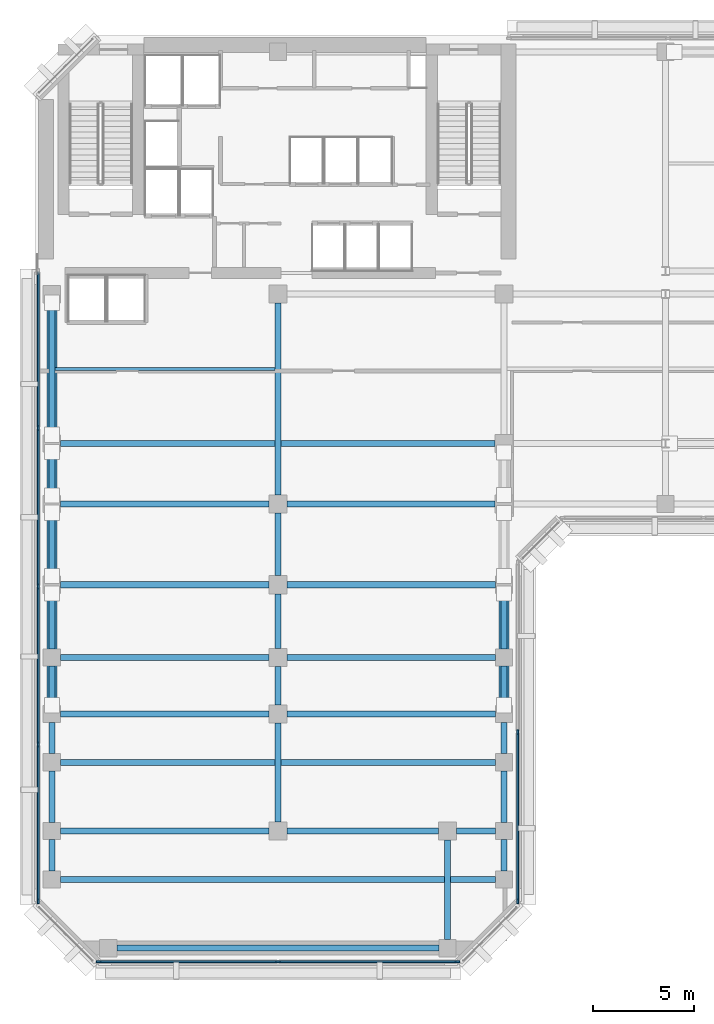
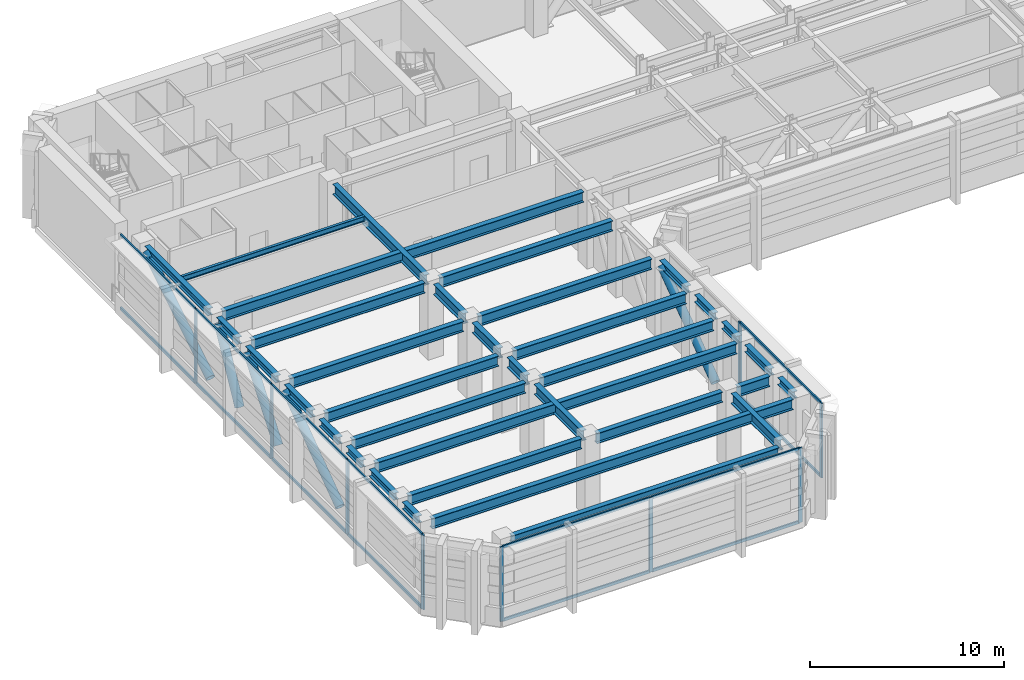
# One storey, part 2 of 12: 35 beams, 28 members, 3 elements without a shape of their own.
"""IFC4 building model written with IfcOpenShell, lengths in metres."""

from ifc_helpers import new_model, si_unit, direction, frame, origin, origin_2d, place, context, subcontext, project, spatial, rectangle, hollow_circle, i_section, extrude, material, layer, layer_set, material_profile, profile_set, type_object, element, aggregate, save


model = new_model("IFC4")

# Units and contexts
model_context = context("Model", 3, precision=1e-05, world=origin(), true_north=direction((0.0, 1.0)))
body_context = subcontext(model_context, "Body", "Model", "MODEL_VIEW")
ifc_project = project(units=[si_unit("LENGTHUNIT", "METRE"), si_unit("AREAUNIT", "SQUARE_METRE"), si_unit("VOLUMEUNIT", "CUBIC_METRE"), si_unit("PLANEANGLEUNIT", "RADIAN"), si_unit("MASSUNIT", "GRAM", prefix="KILO")], contexts=[model_context])

# Site, building, storey
site_placement = place(None, origin())
site = spatial("IfcSite", under=ifc_project, at=site_placement, CompositionType="ELEMENT")
building_placement = place(site_placement, origin())
building = spatial("IfcBuilding", under=site, at=building_placement, Name="Kefirva Bronze Tower", CompositionType="ELEMENT")
storey_placement = place(building_placement, frame((0.0, 0.0, 174.570068359375)))
storey = spatial("IfcBuildingStorey", under=building, at=storey_placement, Name="L42", CompositionType="ELEMENT", Elevation=174.570068359375)

# Curtain wall, members
ifc_material_1 = material(Name="Bronze anodised aluminium", Category="aluminium")
ifc_layer = layer(ifc_material_1, 0.219970703125, Name="Bronze anodised aluminium")
ifc_layer_set = layer_set([ifc_layer], Name="Bronze anodised aluminium")
curtain_wall_type = type_object("IfcCurtainWallType", Name="Refuge Acoustic Louvre Curtain Screen", PredefinedType="USERDEFINED", material=ifc_layer_set)
curtain_wall_1_placement = place(storey_placement, origin())
curtain_wall_1 = element("IfcCurtainWall", 1, at=curtain_wall_1_placement, inside=storey, type_object=curtain_wall_type, Name="L42 Curtain Wall 1", ObjectType="LOUVRE SCREEN WALL", PredefinedType="USERDEFINED")
ifc_material_profile_1 = material_profile(ifc_material_1, rectangle(XDim=0.090087890625, YDim=0.219970703125, at=origin_2d()), Name="ALU 90x220")
ifc_profile_set_1 = profile_set([ifc_material_profile_1], Name="Bronze anodised aluminium")
member_type_1 = type_object("IfcMemberType", Name="Bronze Mullion 90x220", PredefinedType="MULLION", material=ifc_profile_set_1)
member_1_placement = place(storey_placement, frame((3.10009765625, 0.1201171875, 0.0), z_axis=(0.0, 0.0, 1.0), x_axis=(0.0, 1.0, 0.0)))
member_1 = element("IfcMember", 2, at=member_1_placement, type_object=member_type_1, Name="CW-06 mullion 1", PredefinedType="MULLION", context=body_context, shape_type="SweptSolid", body=[
    extrude(rectangle(XDim=0.090087890625, YDim=0.219970703125, at=origin_2d()), origin(), (0.0, 0.0, 1.0), 4.699951171875),
])
member_2_placement = place(storey_placement, frame((12.0, 0.1201171875, 0.0), z_axis=(0.0, 0.0, 1.0), x_axis=(0.0, 1.0, 0.0)))
member_2 = element("IfcMember", 3, at=member_2_placement, type_object=member_type_1, Name="CW-06 mullion 2", PredefinedType="MULLION", context=body_context, shape_type="SweptSolid", body=[
    extrude(rectangle(XDim=0.090087890625, YDim=0.219970703125, at=origin_2d()), origin(), (0.0, 0.0, 1.0), 4.699951171875),
])
member_3_placement = place(storey_placement, frame((20.89990234375, 0.1201171875, 0.0), z_axis=(0.0, 0.0, 1.0), x_axis=(0.0, 1.0, 0.0)))
member_3 = element("IfcMember", 4, at=member_3_placement, type_object=member_type_1, Name="CW-06 mullion 3", PredefinedType="MULLION", context=body_context, shape_type="SweptSolid", body=[
    extrude(rectangle(XDim=0.090087890625, YDim=0.219970703125, at=origin_2d()), origin(), (0.0, 0.0, 1.0), 4.699951171875),
])

curtain_wall_2_placement = place(storey_placement, origin())
curtain_wall_2 = element("IfcCurtainWall", 5, at=curtain_wall_2_placement, inside=storey, type_object=curtain_wall_type, Name="L42 Curtain Wall 2", ObjectType="LOUVRE SCREEN WALL", PredefinedType="USERDEFINED")
member_4_placement = place(storey_placement, frame((23.8798828125, 3.10009765625, 0.0), z_axis=(0.0, 0.0, 1.0), x_axis=(-1.0, 0.0, 0.0)))
member_4 = element("IfcMember", 6, at=member_4_placement, type_object=member_type_1, Name="CW-06 mullion 1", PredefinedType="MULLION", context=body_context, shape_type="SweptSolid", body=[
    extrude(rectangle(XDim=0.090087890625, YDim=0.219970703125, at=origin_2d()), origin(), (0.0, 0.0, 1.0), 4.699951171875),
])
member_5_placement = place(storey_placement, frame((23.8798828125, 11.5, 0.0), z_axis=(0.0, 0.0, 1.0), x_axis=(-1.0, 0.0, 0.0)))
member_5 = element("IfcMember", 7, at=member_5_placement, type_object=member_type_1, Name="CW-06 mullion 2", PredefinedType="MULLION", context=body_context, shape_type="SweptSolid", body=[
    extrude(rectangle(XDim=0.090087890625, YDim=0.219970703125, at=origin_2d()), origin(), (0.0, 0.0, 1.0), 4.699951171875),
])

curtain_wall_3_placement = place(storey_placement, origin())
curtain_wall_3 = element("IfcCurtainWall", 8, at=curtain_wall_3_placement, inside=storey, type_object=curtain_wall_type, Name="L42 Curtain Wall 6", ObjectType="LOUVRE SCREEN WALL", PredefinedType="USERDEFINED")
member_6_placement = place(storey_placement, frame((0.1201171875, 26.56005859375, 0.0), z_axis=(0.0, 0.0, 1.0), x_axis=(1.0, 0.0, 0.0)))
member_6 = element("IfcMember", 9, at=member_6_placement, type_object=member_type_1, Name="CW-06 mullion 2", PredefinedType="MULLION", context=body_context, shape_type="SweptSolid", body=[
    extrude(rectangle(XDim=0.090087890625, YDim=0.219970703125, at=origin_2d()), origin(), (0.0, 0.0, 1.0), 4.699951171875),
])
member_7_placement = place(storey_placement, frame((0.1201171875, 18.72509765625, 0.0), z_axis=(0.0, 0.0, 1.0), x_axis=(1.0, 0.0, 0.0)))
member_7 = element("IfcMember", 10, at=member_7_placement, type_object=member_type_1, Name="CW-06 mullion 3", PredefinedType="MULLION", context=body_context, shape_type="SweptSolid", body=[
    extrude(rectangle(XDim=0.090087890625, YDim=0.219970703125, at=origin_2d()), origin(), (0.0, 0.0, 1.0), 4.699951171875),
])
member_8_placement = place(storey_placement, frame((0.1201171875, 10.889892578125, 0.0), z_axis=(0.0, 0.0, 1.0), x_axis=(1.0, 0.0, 0.0)))
member_8 = element("IfcMember", 11, at=member_8_placement, type_object=member_type_1, Name="CW-06 mullion 4", PredefinedType="MULLION", context=body_context, shape_type="SweptSolid", body=[
    extrude(rectangle(XDim=0.090087890625, YDim=0.219970703125, at=origin_2d()), origin(), (0.0, 0.0, 1.0), 4.699951171875),
])
member_9_placement = place(storey_placement, frame((0.1201171875, 3.10009765625, 0.0), z_axis=(0.0, 0.0, 1.0), x_axis=(1.0, 0.0, 0.0)))
member_9 = element("IfcMember", 12, at=member_9_placement, type_object=member_type_1, Name="CW-06 mullion 5", PredefinedType="MULLION", context=body_context, shape_type="SweptSolid", body=[
    extrude(rectangle(XDim=0.090087890625, YDim=0.219970703125, at=origin_2d()), origin(), (0.0, 0.0, 1.0), 4.699951171875),
])

# Member
ifc_material_profile_2 = material_profile(ifc_material_1, rectangle(XDim=0.090087890625, YDim=0.179931640625, at=origin_2d()), Name="ALU 90x180")
ifc_profile_set_2 = profile_set([ifc_material_profile_2], Name="Bronze anodised aluminium")
member_type_2 = type_object("IfcMemberType", Name="Bronze Transom 90x180", PredefinedType="USERDEFINED", material=ifc_profile_set_2)
member_10_placement = place(storey_placement, frame((3.14501953125, 0.1201171875, 0.044921875), z_axis=(1.0, 0.0, 0.0), x_axis=(0.0, 1.0, 0.0)))
member_10 = element("IfcMember", 13, at=member_10_placement, type_object=member_type_2, Name="CW-06 transom 1.1", ObjectType="TRANSOM", PredefinedType="USERDEFINED", context=body_context, shape_type="SweptSolid", body=[
    extrude(rectangle(XDim=0.090087890625, YDim=0.179931640625, at=origin_2d()), origin(), (0.0, 0.0, 1.0), 8.81005859375),
])

member_11_placement = place(storey_placement, frame((3.14501953125, 0.1201171875, 4.655029296875), z_axis=(1.0, 0.0, 0.0), x_axis=(0.0, 1.0, 0.0)))
member_11 = element("IfcMember", 14, at=member_11_placement, type_object=member_type_2, Name="CW-06 transom 1.2", ObjectType="TRANSOM", PredefinedType="USERDEFINED", context=body_context, shape_type="SweptSolid", body=[
    extrude(rectangle(XDim=0.090087890625, YDim=0.179931640625, at=origin_2d()), origin(), (0.0, 0.0, 1.0), 8.81005859375),
])

member_12_placement = place(storey_placement, frame((12.044921875, 0.1201171875, 0.044921875), z_axis=(1.0, 0.0, 0.0), x_axis=(0.0, 1.0, 0.0)))
member_12 = element("IfcMember", 15, at=member_12_placement, type_object=member_type_2, Name="CW-06 transom 2.1", ObjectType="TRANSOM", PredefinedType="USERDEFINED", context=body_context, shape_type="SweptSolid", body=[
    extrude(rectangle(XDim=0.090087890625, YDim=0.179931640625, at=origin_2d()), origin(), (0.0, 0.0, 1.0), 8.81005859375),
])

member_13_placement = place(storey_placement, frame((12.044921875, 0.1201171875, 4.655029296875), z_axis=(1.0, 0.0, 0.0), x_axis=(0.0, 1.0, 0.0)))
member_13 = element("IfcMember", 16, at=member_13_placement, type_object=member_type_2, Name="CW-06 transom 2.2", ObjectType="TRANSOM", PredefinedType="USERDEFINED", context=body_context, shape_type="SweptSolid", body=[
    extrude(rectangle(XDim=0.090087890625, YDim=0.179931640625, at=origin_2d()), origin(), (0.0, 0.0, 1.0), 8.81005859375),
])

aggregate(curtain_wall_1, [member_1, member_2, member_3, member_10, member_11, member_12, member_13])

member_14_placement = place(storey_placement, frame((23.8798828125, 3.14501953125, 0.044921875), z_axis=(0.0, 1.0, 0.0), x_axis=(-1.0, 0.0, 0.0)))
member_14 = element("IfcMember", 17, at=member_14_placement, type_object=member_type_2, Name="CW-06 transom 1.1", ObjectType="TRANSOM", PredefinedType="USERDEFINED", context=body_context, shape_type="SweptSolid", body=[
    extrude(rectangle(XDim=0.090087890625, YDim=0.179931640625, at=origin_2d()), origin(), (0.0, 0.0, 1.0), 8.31005859375),
])

member_15_placement = place(storey_placement, frame((23.8798828125, 3.14501953125, 4.655029296875), z_axis=(0.0, 1.0, 0.0), x_axis=(-1.0, 0.0, 0.0)))
member_15 = element("IfcMember", 18, at=member_15_placement, type_object=member_type_2, Name="CW-06 transom 1.2", ObjectType="TRANSOM", PredefinedType="USERDEFINED", context=body_context, shape_type="SweptSolid", body=[
    extrude(rectangle(XDim=0.090087890625, YDim=0.179931640625, at=origin_2d()), origin(), (0.0, 0.0, 1.0), 8.31005859375),
])

aggregate(curtain_wall_2, [member_4, member_5, member_14, member_15])

member_16_placement = place(storey_placement, frame((0.1201171875, 34.304931640625, 0.044921875), z_axis=(0.0, -1.0, 0.0), x_axis=(1.0, 0.0, 0.0)))
member_16 = element("IfcMember", 19, at=member_16_placement, type_object=member_type_2, Name="CW-06 transom 1.1", ObjectType="TRANSOM", PredefinedType="USERDEFINED", context=body_context, shape_type="SweptSolid", body=[
    extrude(rectangle(XDim=0.090087890625, YDim=0.179931640625, at=origin_2d()), origin(), (0.0, 0.0, 1.0), 7.699951171875),
])

member_17_placement = place(storey_placement, frame((0.1201171875, 34.304931640625, 4.655029296875), z_axis=(0.0, -1.0, 0.0), x_axis=(1.0, 0.0, 0.0)))
member_17 = element("IfcMember", 20, at=member_17_placement, type_object=member_type_2, Name="CW-06 transom 1.2", ObjectType="TRANSOM", PredefinedType="USERDEFINED", context=body_context, shape_type="SweptSolid", body=[
    extrude(rectangle(XDim=0.090087890625, YDim=0.179931640625, at=origin_2d()), origin(), (0.0, 0.0, 1.0), 7.699951171875),
])

member_18_placement = place(storey_placement, frame((0.1201171875, 26.514892578125, 0.044921875), z_axis=(0.0, -1.0, 0.0), x_axis=(1.0, 0.0, 0.0)))
member_18 = element("IfcMember", 21, at=member_18_placement, type_object=member_type_2, Name="CW-06 transom 2.1", ObjectType="TRANSOM", PredefinedType="USERDEFINED", context=body_context, shape_type="SweptSolid", body=[
    extrude(rectangle(XDim=0.090087890625, YDim=0.179931640625, at=origin_2d()), origin(), (0.0, 0.0, 1.0), 7.744873046875),
])

member_19_placement = place(storey_placement, frame((0.1201171875, 26.514892578125, 4.655029296875), z_axis=(0.0, -1.0, 0.0), x_axis=(1.0, 0.0, 0.0)))
member_19 = element("IfcMember", 22, at=member_19_placement, type_object=member_type_2, Name="CW-06 transom 2.2", ObjectType="TRANSOM", PredefinedType="USERDEFINED", context=body_context, shape_type="SweptSolid", body=[
    extrude(rectangle(XDim=0.090087890625, YDim=0.179931640625, at=origin_2d()), origin(), (0.0, 0.0, 1.0), 7.744873046875),
])

member_20_placement = place(storey_placement, frame((0.1201171875, 18.679931640625, 0.044921875), z_axis=(0.0, -1.0, 0.0), x_axis=(1.0, 0.0, 0.0)))
member_20 = element("IfcMember", 23, at=member_20_placement, type_object=member_type_2, Name="CW-06 transom 3.1", ObjectType="TRANSOM", PredefinedType="USERDEFINED", context=body_context, shape_type="SweptSolid", body=[
    extrude(rectangle(XDim=0.090087890625, YDim=0.179931640625, at=origin_2d()), origin(), (0.0, 0.0, 1.0), 7.744873046875),
])

member_21_placement = place(storey_placement, frame((0.1201171875, 18.679931640625, 4.655029296875), z_axis=(0.0, -1.0, 0.0), x_axis=(1.0, 0.0, 0.0)))
member_21 = element("IfcMember", 24, at=member_21_placement, type_object=member_type_2, Name="CW-06 transom 3.2", ObjectType="TRANSOM", PredefinedType="USERDEFINED", context=body_context, shape_type="SweptSolid", body=[
    extrude(rectangle(XDim=0.090087890625, YDim=0.179931640625, at=origin_2d()), origin(), (0.0, 0.0, 1.0), 7.744873046875),
])

member_22_placement = place(storey_placement, frame((0.1201171875, 10.844970703125, 0.044921875), z_axis=(0.0, -1.0, 0.0), x_axis=(1.0, 0.0, 0.0)))
member_22 = element("IfcMember", 25, at=member_22_placement, type_object=member_type_2, Name="CW-06 transom 4.1", ObjectType="TRANSOM", PredefinedType="USERDEFINED", context=body_context, shape_type="SweptSolid", body=[
    extrude(rectangle(XDim=0.090087890625, YDim=0.179931640625, at=origin_2d()), origin(), (0.0, 0.0, 1.0), 7.699951171875),
])

member_23_placement = place(storey_placement, frame((0.1201171875, 10.844970703125, 4.655029296875), z_axis=(0.0, -1.0, 0.0), x_axis=(1.0, 0.0, 0.0)))
member_23 = element("IfcMember", 26, at=member_23_placement, type_object=member_type_2, Name="CW-06 transom 4.2", ObjectType="TRANSOM", PredefinedType="USERDEFINED", context=body_context, shape_type="SweptSolid", body=[
    extrude(rectangle(XDim=0.090087890625, YDim=0.179931640625, at=origin_2d()), origin(), (0.0, 0.0, 1.0), 7.699951171875),
])

aggregate(curtain_wall_3, [member_6, member_7, member_8, member_9, member_16, member_17, member_18, member_19, member_20, member_21, member_22, member_23])

# Members
ifc_material_2 = material(Name="Steel S460", Category="steel")
ifc_material_profile_3 = material_profile(ifc_material_2, hollow_circle(Radius=0.25390625, WallThickness=0.02001953125, at=origin_2d()), Name="CHS 508x20")
ifc_profile_set_3 = profile_set([ifc_material_profile_3], Name="Steel S460")
member_type_3 = type_object("IfcMemberType", Name="Steel Belt Brace CHS 508x20", PredefinedType="BRACE", material=ifc_profile_set_3)
member_24_placement = place(storey_placement, frame((0.800048828125, 12.830078125, 0.300048828125), z_axis=(0.0, 0.810758360691, 0.585380970455), x_axis=(-1.0, 0.0, 0.0)))
element("IfcMember", 27, at=member_24_placement, inside=storey, type_object=member_type_3, Name="L42 Outrigger Belt Brace 1", PredefinedType="BRACE", context=body_context, shape_type="SweptSolid", body=[
    extrude(hollow_circle(Radius=0.25390625, WallThickness=0.02001953125, at=origin_2d()), origin(), (0.0, 0.0, 1.0), 6.833251953125),
])
member_25_placement = place(storey_placement, frame((0.800048828125, 19.22998046875, 0.300048828125), z_axis=(0.0, 0.617490735498, 0.786578153507), x_axis=(-1.0, 0.0, 0.0)))
element("IfcMember", 28, at=member_25_placement, inside=storey, type_object=member_type_3, Name="L42 Outrigger Belt Brace 2", PredefinedType="BRACE", context=body_context, shape_type="SweptSolid", body=[
    extrude(hollow_circle(Radius=0.25390625, WallThickness=0.02001953125, at=origin_2d()), origin(), (0.0, 0.0, 1.0), 5.085205078125),
])
member_26_placement = place(storey_placement, frame((0.800048828125, 23.22998046875, 0.300048828125), z_axis=(0.0, 0.471755399165, 0.881729461546), x_axis=(-1.0, 0.0, 0.0)))
element("IfcMember", 29, at=member_26_placement, inside=storey, type_object=member_type_3, Name="L42 Outrigger Belt Brace 3", PredefinedType="BRACE", context=body_context, shape_type="SweptSolid", body=[
    extrude(hollow_circle(Radius=0.25390625, WallThickness=0.02001953125, at=origin_2d()), origin(), (0.0, 0.0, 1.0), 4.53662109375),
])
member_27_placement = place(storey_placement, frame((0.800048828125, 26.22998046875, 0.300048828125), z_axis=(0.0, 0.853089698081, 0.521764283013), x_axis=(-1.0, 0.0, 0.0)))
element("IfcMember", 30, at=member_27_placement, inside=storey, type_object=member_type_3, Name="L42 Outrigger Belt Brace 4", PredefinedType="BRACE", context=body_context, shape_type="SweptSolid", body=[
    extrude(hollow_circle(Radius=0.25390625, WallThickness=0.02001953125, at=origin_2d()), origin(), (0.0, 0.0, 1.0), 7.666259765625),
])
member_28_placement = place(storey_placement, frame((23.199951171875, 12.830078125, 0.300048828125), z_axis=(0.0, 0.810758360691, 0.585380970455), x_axis=(-1.0, 0.0, 0.0)))
element("IfcMember", 31, at=member_28_placement, inside=storey, type_object=member_type_3, Name="L42 Outrigger Belt Brace 5", PredefinedType="BRACE", context=body_context, shape_type="SweptSolid", body=[
    extrude(hollow_circle(Radius=0.25390625, WallThickness=0.02001953125, at=origin_2d()), origin(), (0.0, 0.0, 1.0), 6.833251953125),
])

# Beams
ifc_material_3 = material(Name="Steel S355", Category="steel")
ifc_material_profile_4 = material_profile(ifc_material_3, i_section(OverallWidth=0.159912109375, OverallDepth=0.330078125, WebThickness=0.007568359375, FlangeThickness=0.011474609375, at=origin_2d()), Name="IPE 330")
ifc_profile_set_4 = profile_set([ifc_material_profile_4], Name="Steel S355")
beam_type_1 = type_object("IfcBeamType", Name="Steel Floor Joist IPE 330", PredefinedType="JOIST", material=ifc_profile_set_4)
beam_1_placement = place(storey_placement, frame((0.949951171875, 29.489990234375, 4.534912109375), z_axis=(1.0, 0.0, 0.0), x_axis=(0.0, 1.0, 0.0)))
element("IfcBeam", 32, at=beam_1_placement, inside=storey, type_object=beam_type_1, Name="L42 JST-L42-0-294", PredefinedType="JOIST", context=body_context, shape_type="SweptSolid", body=[
    extrude(i_section(OverallWidth=0.159912109375, OverallDepth=0.330078125, WebThickness=0.007568359375, FlangeThickness=0.011474609375, at=origin_2d()), origin(), (0.0, 0.0, 1.0), 10.900146484375),
])
ifc_material_profile_5 = material_profile(ifc_material_3, i_section(OverallWidth=0.300048828125, OverallDepth=0.64990234375, WebThickness=0.01611328125, FlangeThickness=0.031005859375, at=origin_2d()), Name="HEB 650")
ifc_profile_set_5 = profile_set([ifc_material_profile_5], Name="Steel S355")
beam_type_2 = type_object("IfcBeamType", Name="Steel Girder HEB 650", PredefinedType="USERDEFINED", material=ifc_profile_set_5)
beam_2_placement = place(storey_placement, frame((1.22998046875, 4.199951171875, 4.375), z_axis=(1.0, 0.0, 0.0), x_axis=(0.0, 1.0, 0.0)))
element("IfcBeam", 33, at=beam_2_placement, inside=storey, type_object=beam_type_2, Name="L42 BM-L42-EW-0-42", ObjectType="GIRDER", PredefinedType="USERDEFINED", context=body_context, shape_type="SweptSolid", body=[
    extrude(i_section(OverallWidth=0.300048828125, OverallDepth=0.64990234375, WebThickness=0.01611328125, FlangeThickness=0.031005859375, at=origin_2d()), origin(), (0.0, 0.0, 1.0), 21.5400390625),
])
beam_3_placement = place(storey_placement, frame((1.22998046875, 6.60009765625, 4.375), z_axis=(1.0, 0.0, 0.0), x_axis=(0.0, 1.0, 0.0)))
element("IfcBeam", 34, at=beam_3_placement, inside=storey, type_object=beam_type_2, Name="L42 BM-L42-EW-0-66", ObjectType="GIRDER", PredefinedType="USERDEFINED", context=body_context, shape_type="SweptSolid", body=[
    extrude(i_section(OverallWidth=0.300048828125, OverallDepth=0.64990234375, WebThickness=0.01611328125, FlangeThickness=0.031005859375, at=origin_2d()), origin(), (0.0, 0.0, 1.0), 10.320068359375),
])
beam_4_placement = place(storey_placement, frame((12.449951171875, 6.60009765625, 4.375), z_axis=(1.0, 0.0, 0.0), x_axis=(0.0, 1.0, 0.0)))
element("IfcBeam", 35, at=beam_4_placement, inside=storey, type_object=beam_type_2, Name="L42 BM-L42-EW-12-66", ObjectType="GIRDER", PredefinedType="USERDEFINED", context=body_context, shape_type="SweptSolid", body=[
    extrude(i_section(OverallWidth=0.300048828125, OverallDepth=0.64990234375, WebThickness=0.01611328125, FlangeThickness=0.031005859375, at=origin_2d()), origin(), (0.0, 0.0, 1.0), 7.5),
])
beam_5_placement = place(storey_placement, frame((20.85009765625, 6.60009765625, 4.375), z_axis=(1.0, 0.0, 0.0), x_axis=(0.0, 1.0, 0.0)))
element("IfcBeam", 36, at=beam_5_placement, inside=storey, type_object=beam_type_2, Name="L42 BM-L42-EW-20-66", ObjectType="GIRDER", PredefinedType="USERDEFINED", context=body_context, shape_type="SweptSolid", body=[
    extrude(i_section(OverallWidth=0.300048828125, OverallDepth=0.64990234375, WebThickness=0.01611328125, FlangeThickness=0.031005859375, at=origin_2d()), origin(), (0.0, 0.0, 1.0), 1.919921875),
])
beam_6_placement = place(storey_placement, frame((1.22998046875, 10.0, 4.375), z_axis=(1.0, 0.0, 0.0), x_axis=(0.0, 1.0, 0.0)))
element("IfcBeam", 37, at=beam_6_placement, inside=storey, type_object=beam_type_2, Name="L42 BM-L42-EW-0-100", ObjectType="GIRDER", PredefinedType="USERDEFINED", context=body_context, shape_type="SweptSolid", body=[
    extrude(i_section(OverallWidth=0.300048828125, OverallDepth=0.64990234375, WebThickness=0.01611328125, FlangeThickness=0.031005859375, at=origin_2d()), origin(), (0.0, 0.0, 1.0), 21.5400390625),
])
for number, where, z_axis, x_axis, name in (
    (38, (1.22998046875, 12.39990234375, 4.375), (1.0, 0.0, 0.0), (0.0, 1.0, 0.0), "L42 BM-L42-EW-0-124"),
    (39, (12.449951171875, 12.39990234375, 4.375), (1.0, 0.0, 0.0), (0.0, 1.0, 0.0), "L42 BM-L42-EW-12-124"),
    (40, (1.22998046875, 15.199951171875, 4.375), (1.0, 0.0, 0.0), (0.0, 1.0, 0.0), "L42 BM-L42-EW-0-152"),
    (41, (12.449951171875, 15.199951171875, 4.375), (1.0, 0.0, 0.0), (0.0, 1.0, 0.0), "L42 BM-L42-EW-12-152"),
    (42, (1.22998046875, 18.800048828125, 4.375), (1.0, 0.0, 0.0), (0.0, 1.0, 0.0), "L42 BM-L42-EW-0-188"),
    (43, (12.449951171875, 18.800048828125, 4.375), (1.0, 0.0, 0.0), (0.0, 1.0, 0.0), "L42 BM-L42-EW-12-188"),
    (44, (1.22998046875, 22.800048828125, 4.375), (1.0, 0.0, 0.0), (0.0, 1.0, 0.0), "L42 BM-L42-EW-0-228"),
):
    element("IfcBeam", number, at=place(storey_placement, frame(where, z_axis=z_axis, x_axis=x_axis)), inside=storey, type_object=beam_type_2, Name=name, ObjectType="GIRDER", PredefinedType="USERDEFINED", context=body_context, shape_type="SweptSolid", body=[
        extrude(i_section(OverallWidth=0.300048828125, OverallDepth=0.64990234375, WebThickness=0.01611328125, FlangeThickness=0.031005859375, at=origin_2d()), origin(), (0.0, 0.0, 1.0), 10.320068359375),
    ])
beam_7_placement = place(storey_placement, frame((12.449951171875, 22.800048828125, 4.375), z_axis=(1.0, 0.0, 0.0), x_axis=(0.0, 1.0, 0.0)))
element("IfcBeam", 45, at=beam_7_placement, inside=storey, type_object=beam_type_2, Name="L42 BM-L42-EW-12-228", ObjectType="GIRDER", PredefinedType="USERDEFINED", context=body_context, shape_type="SweptSolid", body=[
    extrude(i_section(OverallWidth=0.300048828125, OverallDepth=0.64990234375, WebThickness=0.01611328125, FlangeThickness=0.031005859375, at=origin_2d()), origin(), (0.0, 0.0, 1.0), 10.300048828125),
])
beam_8_placement = place(storey_placement, frame((1.22998046875, 25.800048828125, 4.375), z_axis=(1.0, 0.0, 0.0), x_axis=(0.0, 1.0, 0.0)))
element("IfcBeam", 46, at=beam_8_placement, inside=storey, type_object=beam_type_2, Name="L42 BM-L42-EW-0-258", ObjectType="GIRDER", PredefinedType="USERDEFINED", context=body_context, shape_type="SweptSolid", body=[
    extrude(i_section(OverallWidth=0.300048828125, OverallDepth=0.64990234375, WebThickness=0.01611328125, FlangeThickness=0.031005859375, at=origin_2d()), origin(), (0.0, 0.0, 1.0), 21.52001953125),
])
beam_9_placement = place(storey_placement, frame((12.0, 7.050048828125, 4.375), z_axis=(0.0, 1.0, 0.0), x_axis=(-1.0, 0.0, 0.0)))
element("IfcBeam", 47, at=beam_9_placement, inside=storey, type_object=beam_type_2, Name="L42 BM-L42-NS-120-6", ObjectType="GIRDER", PredefinedType="USERDEFINED", context=body_context, shape_type="SweptSolid", body=[
    extrude(i_section(OverallWidth=0.300048828125, OverallDepth=0.64990234375, WebThickness=0.01611328125, FlangeThickness=0.031005859375, at=origin_2d()), origin(), (0.0, 0.0, 1.0), 4.89990234375),
])
beam_10_placement = place(storey_placement, frame((12.0, 12.85009765625, 4.375), z_axis=(0.0, 1.0, 0.0), x_axis=(-1.0, 0.0, 0.0)))
element("IfcBeam", 48, at=beam_10_placement, inside=storey, type_object=beam_type_2, Name="L42 BM-L42-NS-120-12", ObjectType="GIRDER", PredefinedType="USERDEFINED", context=body_context, shape_type="SweptSolid", body=[
    extrude(i_section(OverallWidth=0.300048828125, OverallDepth=0.64990234375, WebThickness=0.01611328125, FlangeThickness=0.031005859375, at=origin_2d()), origin(), (0.0, 0.0, 1.0), 1.89990234375),
])
beam_11_placement = place(storey_placement, frame((12.0, 15.64990234375, 4.375), z_axis=(0.0, 1.0, 0.0), x_axis=(-1.0, 0.0, 0.0)))
element("IfcBeam", 49, at=beam_11_placement, inside=storey, type_object=beam_type_2, Name="L42 BM-L42-NS-120-15", ObjectType="GIRDER", PredefinedType="USERDEFINED", context=body_context, shape_type="SweptSolid", body=[
    extrude(i_section(OverallWidth=0.300048828125, OverallDepth=0.64990234375, WebThickness=0.01611328125, FlangeThickness=0.031005859375, at=origin_2d()), origin(), (0.0, 0.0, 1.0), 2.7001953125),
])
beam_12_placement = place(storey_placement, frame((12.0, 19.25, 4.375), z_axis=(0.0, 1.0, 0.0), x_axis=(-1.0, 0.0, 0.0)))
element("IfcBeam", 50, at=beam_12_placement, inside=storey, type_object=beam_type_2, Name="L42 BM-L42-NS-120-18", ObjectType="GIRDER", PredefinedType="USERDEFINED", context=body_context, shape_type="SweptSolid", body=[
    extrude(i_section(OverallWidth=0.300048828125, OverallDepth=0.64990234375, WebThickness=0.01611328125, FlangeThickness=0.031005859375, at=origin_2d()), origin(), (0.0, 0.0, 1.0), 3.10009765625),
])
beam_13_placement = place(storey_placement, frame((12.0, 23.25, 4.375), z_axis=(0.0, 1.0, 0.0), x_axis=(-1.0, 0.0, 0.0)))
element("IfcBeam", 51, at=beam_13_placement, inside=storey, type_object=beam_type_2, Name="L42 BM-L42-NS-120-22", ObjectType="GIRDER", PredefinedType="USERDEFINED", context=body_context, shape_type="SweptSolid", body=[
    extrude(i_section(OverallWidth=0.300048828125, OverallDepth=0.64990234375, WebThickness=0.01611328125, FlangeThickness=0.031005859375, at=origin_2d()), origin(), (0.0, 0.0, 1.0), 9.5),
])
beam_14_placement = place(storey_placement, frame((20.39990234375, 1.22998046875, 4.375), z_axis=(0.0, 1.0, 0.0), x_axis=(-1.0, 0.0, 0.0)))
element("IfcBeam", 52, at=beam_14_placement, inside=storey, type_object=beam_type_2, Name="L42 BM-L42-NS-204-0", ObjectType="GIRDER", PredefinedType="USERDEFINED", context=body_context, shape_type="SweptSolid", body=[
    extrude(i_section(OverallWidth=0.300048828125, OverallDepth=0.64990234375, WebThickness=0.01611328125, FlangeThickness=0.031005859375, at=origin_2d()), origin(), (0.0, 0.0, 1.0), 4.919921875),
])
ifc_material_profile_6 = material_profile(ifc_material_3, i_section(OverallWidth=0.300048828125, OverallDepth=0.449951171875, WebThickness=0.013916015625, FlangeThickness=0.02587890625, at=origin_2d()), Name="HEB 450")
ifc_profile_set_6 = profile_set([ifc_material_profile_6], Name="Steel S355")
beam_type_3 = type_object("IfcBeamType", Name="Steel Spandrel HEB 450 Ext", PredefinedType="SPANDREL", material=ifc_profile_set_6)
beam_15_placement = place(storey_placement, frame((4.030029296875, 0.800048828125, 4.474853515625), z_axis=(1.0, 0.0, 0.0), x_axis=(0.0, 1.0, 0.0)))
element("IfcBeam", 53, at=beam_15_placement, inside=storey, type_object=beam_type_3, Name="L42 BM-L42-EW-3-8", PredefinedType="SPANDREL", context=body_context, shape_type="SweptSolid", body=[
    extrude(i_section(OverallWidth=0.300048828125, OverallDepth=0.449951171875, WebThickness=0.013916015625, FlangeThickness=0.02587890625, at=origin_2d()), origin(), (0.0, 0.0, 1.0), 15.93994140625),
])
beam_16_placement = place(storey_placement, frame((0.800048828125, 4.6298828125, 4.474853515625), z_axis=(0.0, 1.0, 0.0), x_axis=(-1.0, 0.0, 0.0)))
element("IfcBeam", 54, at=beam_16_placement, inside=storey, type_object=beam_type_3, Name="L42 BM-L42-NS-8-4", PredefinedType="SPANDREL", context=body_context, shape_type="SweptSolid", body=[
    extrude(i_section(OverallWidth=0.300048828125, OverallDepth=0.449951171875, WebThickness=0.013916015625, FlangeThickness=0.02587890625, at=origin_2d()), origin(), (0.0, 0.0, 1.0), 1.5400390625),
])
beam_17_placement = place(storey_placement, frame((0.800048828125, 7.030029296875, 4.474853515625), z_axis=(0.0, 1.0, 0.0), x_axis=(-1.0, 0.0, 0.0)))
element("IfcBeam", 55, at=beam_17_placement, inside=storey, type_object=beam_type_3, Name="L42 BM-L42-NS-8-6", PredefinedType="SPANDREL", context=body_context, shape_type="SweptSolid", body=[
    extrude(i_section(OverallWidth=0.300048828125, OverallDepth=0.449951171875, WebThickness=0.013916015625, FlangeThickness=0.02587890625, at=origin_2d()), origin(), (0.0, 0.0, 1.0), 2.5400390625),
])
beam_18_placement = place(storey_placement, frame((0.800048828125, 10.429931640625, 4.474853515625), z_axis=(0.0, 1.0, 0.0), x_axis=(-1.0, 0.0, 0.0)))
element("IfcBeam", 56, at=beam_18_placement, inside=storey, type_object=beam_type_3, Name="L42 BM-L42-NS-8-10", PredefinedType="SPANDREL", context=body_context, shape_type="SweptSolid", body=[
    extrude(i_section(OverallWidth=0.300048828125, OverallDepth=0.449951171875, WebThickness=0.013916015625, FlangeThickness=0.02587890625, at=origin_2d()), origin(), (0.0, 0.0, 1.0), 1.5400390625),
])
beam_19_placement = place(storey_placement, frame((0.800048828125, 12.830078125, 4.474853515625), z_axis=(0.0, 1.0, 0.0), x_axis=(-1.0, 0.0, 0.0)))
element("IfcBeam", 57, at=beam_19_placement, inside=storey, type_object=beam_type_3, Name="L42 BM-L42-NS-8-12", PredefinedType="SPANDREL", context=body_context, shape_type="SweptSolid", body=[
    extrude(i_section(OverallWidth=0.300048828125, OverallDepth=0.449951171875, WebThickness=0.013916015625, FlangeThickness=0.02587890625, at=origin_2d()), origin(), (0.0, 0.0, 1.0), 1.93994140625),
])
beam_20_placement = place(storey_placement, frame((0.800048828125, 15.6298828125, 4.474853515625), z_axis=(0.0, 1.0, 0.0), x_axis=(-1.0, 0.0, 0.0)))
element("IfcBeam", 58, at=beam_20_placement, inside=storey, type_object=beam_type_3, Name="L42 BM-L42-NS-8-15", PredefinedType="SPANDREL", context=body_context, shape_type="SweptSolid", body=[
    extrude(i_section(OverallWidth=0.300048828125, OverallDepth=0.449951171875, WebThickness=0.013916015625, FlangeThickness=0.02587890625, at=origin_2d()), origin(), (0.0, 0.0, 1.0), 2.740234375),
])
beam_21_placement = place(storey_placement, frame((0.800048828125, 19.22998046875, 4.474853515625), z_axis=(0.0, 1.0, 0.0), x_axis=(-1.0, 0.0, 0.0)))
element("IfcBeam", 59, at=beam_21_placement, inside=storey, type_object=beam_type_3, Name="L42 BM-L42-NS-8-18", PredefinedType="SPANDREL", context=body_context, shape_type="SweptSolid", body=[
    extrude(i_section(OverallWidth=0.300048828125, OverallDepth=0.449951171875, WebThickness=0.013916015625, FlangeThickness=0.02587890625, at=origin_2d()), origin(), (0.0, 0.0, 1.0), 3.14013671875),
])
beam_22_placement = place(storey_placement, frame((0.800048828125, 23.22998046875, 4.474853515625), z_axis=(0.0, 1.0, 0.0), x_axis=(-1.0, 0.0, 0.0)))
element("IfcBeam", 60, at=beam_22_placement, inside=storey, type_object=beam_type_3, Name="L42 BM-L42-NS-8-22", PredefinedType="SPANDREL", context=body_context, shape_type="SweptSolid", body=[
    extrude(i_section(OverallWidth=0.300048828125, OverallDepth=0.449951171875, WebThickness=0.013916015625, FlangeThickness=0.02587890625, at=origin_2d()), origin(), (0.0, 0.0, 1.0), 2.14013671875),
])
beam_23_placement = place(storey_placement, frame((0.800048828125, 26.22998046875, 4.474853515625), z_axis=(0.0, 1.0, 0.0), x_axis=(-1.0, 0.0, 0.0)))
element("IfcBeam", 61, at=beam_23_placement, inside=storey, type_object=beam_type_3, Name="L42 BM-L42-NS-8-25", PredefinedType="SPANDREL", context=body_context, shape_type="SweptSolid", body=[
    extrude(i_section(OverallWidth=0.300048828125, OverallDepth=0.449951171875, WebThickness=0.013916015625, FlangeThickness=0.02587890625, at=origin_2d()), origin(), (0.0, 0.0, 1.0), 6.5400390625),
])
beam_24_placement = place(storey_placement, frame((23.199951171875, 4.6298828125, 4.474853515625), z_axis=(0.0, 1.0, 0.0), x_axis=(-1.0, 0.0, 0.0)))
element("IfcBeam", 62, at=beam_24_placement, inside=storey, type_object=beam_type_3, Name="L42 BM-L42-NS-232-4", PredefinedType="SPANDREL", context=body_context, shape_type="SweptSolid", body=[
    extrude(i_section(OverallWidth=0.300048828125, OverallDepth=0.449951171875, WebThickness=0.013916015625, FlangeThickness=0.02587890625, at=origin_2d()), origin(), (0.0, 0.0, 1.0), 1.5400390625),
])
beam_25_placement = place(storey_placement, frame((23.199951171875, 7.030029296875, 4.474853515625), z_axis=(0.0, 1.0, 0.0), x_axis=(-1.0, 0.0, 0.0)))
element("IfcBeam", 63, at=beam_25_placement, inside=storey, type_object=beam_type_3, Name="L42 BM-L42-NS-232-6", PredefinedType="SPANDREL", context=body_context, shape_type="SweptSolid", body=[
    extrude(i_section(OverallWidth=0.300048828125, OverallDepth=0.449951171875, WebThickness=0.013916015625, FlangeThickness=0.02587890625, at=origin_2d()), origin(), (0.0, 0.0, 1.0), 2.5400390625),
])
beam_26_placement = place(storey_placement, frame((23.199951171875, 10.429931640625, 4.474853515625), z_axis=(0.0, 1.0, 0.0), x_axis=(-1.0, 0.0, 0.0)))
element("IfcBeam", 64, at=beam_26_placement, inside=storey, type_object=beam_type_3, Name="L42 BM-L42-NS-232-10", PredefinedType="SPANDREL", context=body_context, shape_type="SweptSolid", body=[
    extrude(i_section(OverallWidth=0.300048828125, OverallDepth=0.449951171875, WebThickness=0.013916015625, FlangeThickness=0.02587890625, at=origin_2d()), origin(), (0.0, 0.0, 1.0), 1.5400390625),
])
beam_27_placement = place(storey_placement, frame((23.199951171875, 12.830078125, 4.474853515625), z_axis=(0.0, 1.0, 0.0), x_axis=(-1.0, 0.0, 0.0)))
element("IfcBeam", 65, at=beam_27_placement, inside=storey, type_object=beam_type_3, Name="L42 BM-L42-NS-232-12", PredefinedType="SPANDREL", context=body_context, shape_type="SweptSolid", body=[
    extrude(i_section(OverallWidth=0.300048828125, OverallDepth=0.449951171875, WebThickness=0.013916015625, FlangeThickness=0.02587890625, at=origin_2d()), origin(), (0.0, 0.0, 1.0), 1.93994140625),
])
beam_28_placement = place(storey_placement, frame((23.199951171875, 15.6298828125, 4.474853515625), z_axis=(0.0, 1.0, 0.0), x_axis=(-1.0, 0.0, 0.0)))
element("IfcBeam", 66, at=beam_28_placement, inside=storey, type_object=beam_type_3, Name="L42 BM-L42-NS-232-15", PredefinedType="SPANDREL", context=body_context, shape_type="SweptSolid", body=[
    extrude(i_section(OverallWidth=0.300048828125, OverallDepth=0.449951171875, WebThickness=0.013916015625, FlangeThickness=0.02587890625, at=origin_2d()), origin(), (0.0, 0.0, 1.0), 2.740234375),
])

save(model, "model.ifc")
